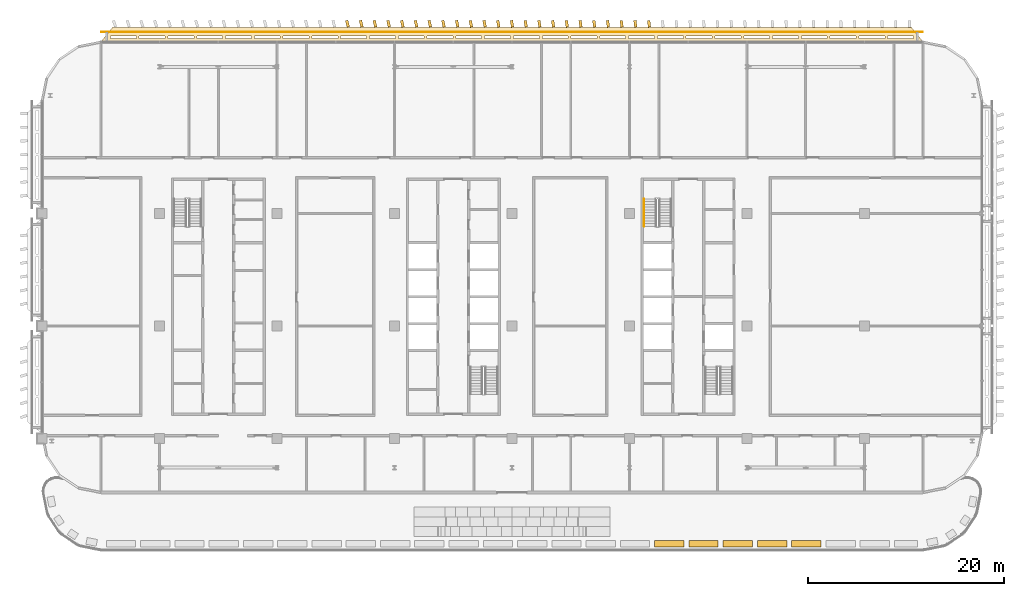
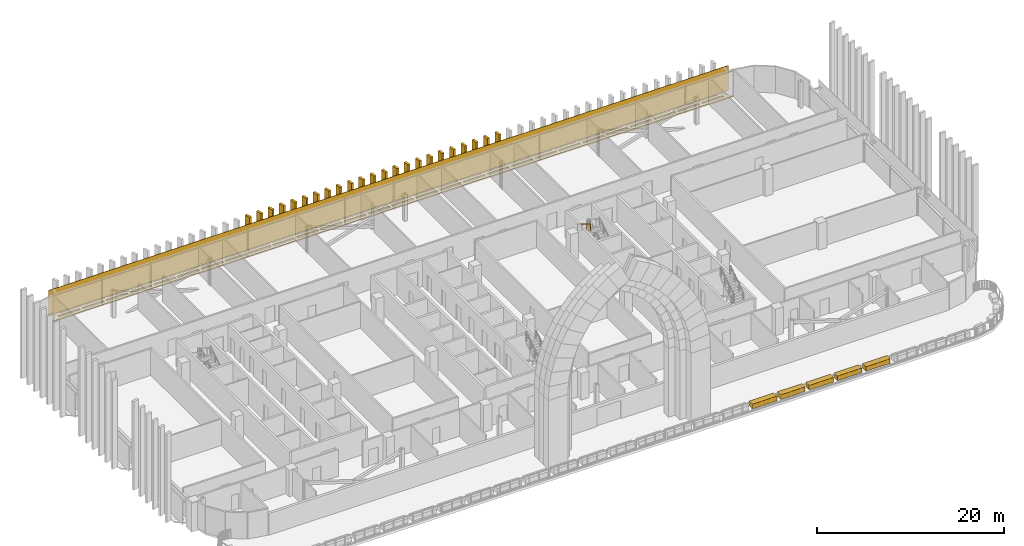
# One storey, part 27 of 30: 30 coverings, 1 railing.
"""IFC4 building model written with IfcOpenShell, lengths in metres."""

from ifc_helpers import new_model, si_unit, direction, frame, origin, origin_2d, place, context, subcontext, project, spatial, polyline, rectangle, circle, outline, extrude, material, layer, layer_set, type_object, element, save


model = new_model("IFC4")

# Units and contexts
model_context = context("Model", 3, precision=1e-05, world=origin(), true_north=direction((0.0, 1.0)))
body_context = subcontext(model_context, "Body", "Model", "MODEL_VIEW")
ifc_project = project(units=[si_unit("LENGTHUNIT", "METRE"), si_unit("AREAUNIT", "SQUARE_METRE"), si_unit("VOLUMEUNIT", "CUBIC_METRE"), si_unit("PLANEANGLEUNIT", "RADIAN"), si_unit("MASSUNIT", "GRAM", prefix="KILO")], contexts=[model_context])

# Site, building, storey
site_placement = place(None, origin())
site = spatial("IfcSite", under=ifc_project, at=site_placement, CompositionType="ELEMENT")
building_placement = place(site_placement, origin())
building = spatial("IfcBuilding", under=site, at=building_placement, Name="Mahtab Terrace Research Tower", CompositionType="ELEMENT")
storey_placement = place(building_placement, frame((0.0, 0.0, 228.60009765625)))
storey = spatial("IfcBuildingStorey", under=building, at=storey_placement, Name="L55", CompositionType="ELEMENT", Elevation=228.60009765625)

# Coverings
ifc_material_1 = material(Name="Black anodised aluminium", Category="aluminium")
ifc_layer_1 = layer(ifc_material_1, 0.14990234375)
ifc_layer_set_1 = layer_set([ifc_layer_1], Name="Horizontal sunshade band")
covering_type_1 = type_object("IfcCoveringType", Name="Horizontal sunshade band", PredefinedType="CLADDING", material=ifc_layer_set_1)
covering_1_placement = place(storey_placement, frame((0.0, 0.0, -0.150146484375)))
element("IfcCovering", 1, at=covering_1_placement, inside=storey, type_object=covering_type_1, Name="Sunshade band L55 3", PredefinedType="CLADDING", context=body_context, shape_type="SweptSolid", body=[
    extrude(outline(polyline([(48.0, 29.0), (-36.0, 29.0), (-34.800048828125, 30.5), (46.800048828125, 30.5), (48.0, 29.0)]), holes=[polyline([(47.02001953125, 29.35009765625), (44.37890625, 29.35009765625), (44.37890625, 29.60009765625), (47.02001953125, 29.60009765625), (47.02001953125, 29.35009765625)]), polyline([(44.0791015625, 29.35009765625), (41.43896484375, 29.35009765625), (41.43896484375, 29.60009765625), (44.0791015625, 29.60009765625), (44.0791015625, 29.35009765625)]), polyline([(41.138916015625, 29.35009765625), (38.498046875, 29.35009765625), (38.498046875, 29.60009765625), (41.138916015625, 29.60009765625), (41.138916015625, 29.35009765625)]), polyline([(38.197998046875, 29.35009765625), (35.556884765625, 29.35009765625), (35.556884765625, 29.60009765625), (38.197998046875, 29.60009765625), (38.197998046875, 29.35009765625)]), polyline([(35.257080078125, 29.35009765625), (32.615966796875, 29.35009765625), (32.615966796875, 29.60009765625), (35.257080078125, 29.60009765625), (35.257080078125, 29.35009765625)]), polyline([(32.31591796875, 29.35009765625), (29.676025390625, 29.35009765625), (29.676025390625, 29.60009765625), (32.31591796875, 29.60009765625), (32.31591796875, 29.35009765625)]), polyline([(29.3759765625, 29.35009765625), (26.735107421875, 29.35009765625), (26.735107421875, 29.60009765625), (29.3759765625, 29.60009765625), (29.3759765625, 29.35009765625)]), polyline([(26.43505859375, 29.35009765625), (23.7939453125, 29.35009765625), (23.7939453125, 29.60009765625), (26.43505859375, 29.60009765625), (26.43505859375, 29.35009765625)]), polyline([(23.493896484375, 29.35009765625), (20.85400390625, 29.35009765625), (20.85400390625, 29.60009765625), (23.493896484375, 29.60009765625), (23.493896484375, 29.35009765625)]), polyline([(20.553955078125, 29.35009765625), (17.9130859375, 29.35009765625), (17.9130859375, 29.60009765625), (20.553955078125, 29.60009765625), (20.553955078125, 29.35009765625)]), polyline([(17.613037109375, 29.35009765625), (14.971923828125, 29.35009765625), (14.971923828125, 29.60009765625), (17.613037109375, 29.60009765625), (17.613037109375, 29.35009765625)]), polyline([(14.672119140625, 29.35009765625), (12.031005859375, 29.35009765625), (12.031005859375, 29.60009765625), (14.672119140625, 29.60009765625), (14.672119140625, 29.35009765625)]), polyline([(11.73095703125, 29.35009765625), (9.091064453125, 29.35009765625), (9.091064453125, 29.60009765625), (11.73095703125, 29.60009765625), (11.73095703125, 29.35009765625)]), polyline([(8.791015625, 29.35009765625), (6.14990234375, 29.35009765625), (6.14990234375, 29.60009765625), (8.791015625, 29.60009765625), (8.791015625, 29.35009765625)]), polyline([(5.85009765625, 29.35009765625), (3.208984375, 29.35009765625), (3.208984375, 29.60009765625), (5.85009765625, 29.60009765625), (5.85009765625, 29.35009765625)]), polyline([(2.908935546875, 29.35009765625), (0.26904296875, 29.35009765625), (0.26904296875, 29.60009765625), (2.908935546875, 29.60009765625), (2.908935546875, 29.35009765625)]), polyline([(-0.031005859375, 29.35009765625), (-2.672119140625, 29.35009765625), (-2.672119140625, 29.60009765625), (-0.031005859375, 29.60009765625), (-0.031005859375, 29.35009765625)]), polyline([(-2.971923828125, 29.35009765625), (-5.613037109375, 29.35009765625), (-5.613037109375, 29.60009765625), (-2.971923828125, 29.60009765625), (-2.971923828125, 29.35009765625)]), polyline([(-5.9130859375, 29.35009765625), (-8.553955078125, 29.35009765625), (-8.553955078125, 29.60009765625), (-5.9130859375, 29.60009765625), (-5.9130859375, 29.35009765625)]), polyline([(-8.85400390625, 29.35009765625), (-11.493896484375, 29.35009765625), (-11.493896484375, 29.60009765625), (-8.85400390625, 29.60009765625), (-8.85400390625, 29.35009765625)]), polyline([(-11.7939453125, 29.35009765625), (-14.43505859375, 29.35009765625), (-14.43505859375, 29.60009765625), (-11.7939453125, 29.60009765625), (-11.7939453125, 29.35009765625)]), polyline([(-14.735107421875, 29.35009765625), (-17.3759765625, 29.35009765625), (-17.3759765625, 29.60009765625), (-14.735107421875, 29.60009765625), (-14.735107421875, 29.35009765625)]), polyline([(-17.676025390625, 29.35009765625), (-20.31591796875, 29.35009765625), (-20.31591796875, 29.60009765625), (-17.676025390625, 29.60009765625), (-17.676025390625, 29.35009765625)]), polyline([(-20.615966796875, 29.35009765625), (-23.257080078125, 29.35009765625), (-23.257080078125, 29.60009765625), (-20.615966796875, 29.60009765625), (-20.615966796875, 29.35009765625)]), polyline([(-23.556884765625, 29.35009765625), (-26.197998046875, 29.35009765625), (-26.197998046875, 29.60009765625), (-23.556884765625, 29.60009765625), (-23.556884765625, 29.35009765625)]), polyline([(-26.498046875, 29.35009765625), (-29.138916015625, 29.35009765625), (-29.138916015625, 29.60009765625), (-26.498046875, 29.60009765625), (-26.498046875, 29.35009765625)]), polyline([(-29.43896484375, 29.35009765625), (-32.0791015625, 29.35009765625), (-32.0791015625, 29.60009765625), (-29.43896484375, 29.60009765625), (-29.43896484375, 29.35009765625)]), polyline([(-32.37890625, 29.35009765625), (-35.02001953125, 29.35009765625), (-35.02001953125, 29.60009765625), (-32.37890625, 29.60009765625), (-32.37890625, 29.35009765625)]), polyline([(46.5400390625, 29.949951171875), (43.93408203125, 29.949951171875), (43.93408203125, 30.199951171875), (46.5400390625, 30.199951171875), (46.5400390625, 29.949951171875)]), polyline([(43.634033203125, 29.949951171875), (41.027099609375, 29.949951171875), (41.027099609375, 30.199951171875), (43.634033203125, 30.199951171875), (43.634033203125, 29.949951171875)]), polyline([(40.72705078125, 29.949951171875), (38.12109375, 29.949951171875), (38.12109375, 30.199951171875), (40.72705078125, 30.199951171875), (40.72705078125, 29.949951171875)]), polyline([(37.821044921875, 29.949951171875), (35.214111328125, 29.949951171875), (35.214111328125, 30.199951171875), (37.821044921875, 30.199951171875), (37.821044921875, 29.949951171875)]), polyline([(34.9140625, 29.949951171875), (32.30810546875, 29.949951171875), (32.30810546875, 30.199951171875), (34.9140625, 30.199951171875), (34.9140625, 29.949951171875)]), polyline([(32.008056640625, 29.949951171875), (29.40087890625, 29.949951171875), (29.40087890625, 30.199951171875), (32.008056640625, 30.199951171875), (32.008056640625, 29.949951171875)]), polyline([(29.10107421875, 29.949951171875), (26.4951171875, 29.949951171875), (26.4951171875, 30.199951171875), (29.10107421875, 30.199951171875), (29.10107421875, 29.949951171875)]), polyline([(26.195068359375, 29.949951171875), (23.589111328125, 29.949951171875), (23.589111328125, 30.199951171875), (26.195068359375, 30.199951171875), (26.195068359375, 29.949951171875)]), polyline([(23.2890625, 29.949951171875), (20.681884765625, 29.949951171875), (20.681884765625, 30.199951171875), (23.2890625, 30.199951171875), (23.2890625, 29.949951171875)]), polyline([(20.382080078125, 29.949951171875), (17.77587890625, 29.949951171875), (17.77587890625, 30.199951171875), (20.382080078125, 30.199951171875), (20.382080078125, 29.949951171875)]), polyline([(17.47607421875, 29.949951171875), (14.868896484375, 29.949951171875), (14.868896484375, 30.199951171875), (17.47607421875, 30.199951171875), (17.47607421875, 29.949951171875)]), polyline([(14.569091796875, 29.949951171875), (11.962890625, 29.949951171875), (11.962890625, 30.199951171875), (14.569091796875, 30.199951171875), (14.569091796875, 29.949951171875)]), polyline([(11.6630859375, 29.949951171875), (9.055908203125, 29.949951171875), (9.055908203125, 30.199951171875), (11.6630859375, 30.199951171875), (11.6630859375, 29.949951171875)]), polyline([(8.756103515625, 29.949951171875), (6.14990234375, 29.949951171875), (6.14990234375, 30.199951171875), (8.756103515625, 30.199951171875), (8.756103515625, 29.949951171875)]), polyline([(5.85009765625, 29.949951171875), (3.243896484375, 29.949951171875), (3.243896484375, 30.199951171875), (5.85009765625, 30.199951171875), (5.85009765625, 29.949951171875)]), polyline([(2.944091796875, 29.949951171875), (0.3369140625, 29.949951171875), (0.3369140625, 30.199951171875), (2.944091796875, 30.199951171875), (2.944091796875, 29.949951171875)]), polyline([(0.037109375, 29.949951171875), (-2.569091796875, 29.949951171875), (-2.569091796875, 30.199951171875), (0.037109375, 30.199951171875), (0.037109375, 29.949951171875)]), polyline([(-2.868896484375, 29.949951171875), (-5.47607421875, 29.949951171875), (-5.47607421875, 30.199951171875), (-2.868896484375, 30.199951171875), (-2.868896484375, 29.949951171875)]), polyline([(-5.77587890625, 29.949951171875), (-8.382080078125, 29.949951171875), (-8.382080078125, 30.199951171875), (-5.77587890625, 30.199951171875), (-5.77587890625, 29.949951171875)]), polyline([(-8.681884765625, 29.949951171875), (-11.2890625, 29.949951171875), (-11.2890625, 30.199951171875), (-8.681884765625, 30.199951171875), (-8.681884765625, 29.949951171875)]), polyline([(-11.589111328125, 29.949951171875), (-14.195068359375, 29.949951171875), (-14.195068359375, 30.199951171875), (-11.589111328125, 30.199951171875), (-11.589111328125, 29.949951171875)]), polyline([(-14.4951171875, 29.949951171875), (-17.10107421875, 29.949951171875), (-17.10107421875, 30.199951171875), (-14.4951171875, 30.199951171875), (-14.4951171875, 29.949951171875)]), polyline([(-17.40087890625, 29.949951171875), (-20.008056640625, 29.949951171875), (-20.008056640625, 30.199951171875), (-17.40087890625, 30.199951171875), (-17.40087890625, 29.949951171875)]), polyline([(-20.30810546875, 29.949951171875), (-22.9140625, 29.949951171875), (-22.9140625, 30.199951171875), (-20.30810546875, 30.199951171875), (-20.30810546875, 29.949951171875)]), polyline([(-23.214111328125, 29.949951171875), (-25.821044921875, 29.949951171875), (-25.821044921875, 30.199951171875), (-23.214111328125, 30.199951171875), (-23.214111328125, 29.949951171875)]), polyline([(-26.12109375, 29.949951171875), (-28.72705078125, 29.949951171875), (-28.72705078125, 30.199951171875), (-26.12109375, 30.199951171875), (-26.12109375, 29.949951171875)]), polyline([(-29.027099609375, 29.949951171875), (-31.634033203125, 29.949951171875), (-31.634033203125, 30.199951171875), (-29.027099609375, 30.199951171875), (-29.027099609375, 29.949951171875)]), polyline([(-31.93408203125, 29.949951171875), (-34.5400390625, 29.949951171875), (-34.5400390625, 30.199951171875), (-31.93408203125, 30.199951171875), (-31.93408203125, 29.949951171875)])]), origin(), (0.0, 0.0, 1.0), 0.150146484375),
])
ifc_material_2 = material(Name="Planting soil and shrubs")
ifc_layer_2 = layer(ifc_material_2, 0.1201171875)
ifc_layer_set_2 = layer_set([ifc_layer_2], Name="Planter")
covering_type_2 = type_object("IfcCoveringType", Name="Planter", PredefinedType="USERDEFINED", material=ifc_layer_set_2)
for number, where, z_axis, x_axis, name in (
    (2, (22.06591796875, -22.25, 0.02978515625), (0.0, 0.0, 1.0), (1.0, 0.0, 0.0), "PLANTER terrace 6"),
    (3, (25.56591796875, -22.25, 0.02978515625), (0.0, 0.0, 1.0), (1.0, 0.0, 0.0), "PLANTER terrace 6"),
    (4, (29.06591796875, -22.25, 0.02978515625), (0.0, 0.0, 1.0), (1.0, 0.0, 0.0), "PLANTER terrace 6"),
    (5, (32.56591796875, -22.25, 0.02978515625), (0.0, 0.0, 1.0), (1.0, 0.0, 0.0), "PLANTER terrace 6"),
    (6, (36.06591796875, -22.25, 0.02978515625), (0.0, 0.0, 1.0), (1.0, 0.0, 0.0), "PLANTER terrace 6"),
):
    element("IfcCovering", number, at=place(storey_placement, frame(where, z_axis=z_axis, x_axis=x_axis)), inside=storey, type_object=covering_type_2, Name=name, ObjectType="PLANTER", PredefinedType="USERDEFINED", context=body_context, shape_type="SweptSolid", body=[
        extrude(rectangle(XDim=3.0, YDim=0.699951171875, at=origin_2d()), origin(), (0.0, 0.0, 1.0), 0.60009765625),
    ])
ifc_material_3 = material(Name="Bronze anodised aluminium", Category="aluminium")
ifc_layer_3 = layer(ifc_material_3, 0.050048828125)
ifc_layer_set_3 = layer_set([ifc_layer_3], Name="Sky lounge girih screen panel")
covering_type_3 = type_object("IfcCoveringType", Name="Sky lounge girih screen panel", PredefinedType="CLADDING", material=ifc_layer_set_3)
covering_2_placement = place(storey_placement, frame((6.0, 30.02490234375, 0.10009765625), z_axis=(0.0, 0.0, 1.0), x_axis=(-1.0, 0.0, 0.0)))
element("IfcCovering", 7, at=covering_2_placement, inside=storey, type_object=covering_type_3, Name="Girih screen L55 N4", PredefinedType="CLADDING", context=body_context, shape_type="SweptSolid", body=[
    extrude(rectangle(XDim=83.89990234375, YDim=0.050048828125, at=origin_2d()), origin(), (0.0, 0.0, 1.0), 3.260009765625),
])

# Railing
ifc_material_4 = material(Name="Stainless steel AISI 304", Category="steel")
railing_type = type_object("IfcRailingType", Name="Stair handrail 900", PredefinedType="HANDRAIL", material=ifc_material_4)
railing_placement = place(storey_placement, frame((19.5, 12.97509765625, 2.072509765625)))
element("IfcRailing", 8, at=railing_placement, inside=storey, type_object=railing_type, Name="L55 ST3 stair handrail 2", PredefinedType="HANDRAIL", context=body_context, shape_type="SweptSolid", body=[
    extrude(circle(Radius=0.02392578125, at=origin_2d()), frame((0.0, 0.0, 0.8759765625), z_axis=(0.0, -0.851089632645, 0.525020415988), x_axis=(1.0, 0.0, 0.0)), (0.0, 0.0, 1.0), 3.2900390625),
    extrude(circle(Radius=0.02099609375, at=origin_2d()), origin(), (0.0, 0.0, 1.0), 0.851806640625),
    extrude(circle(Radius=0.02099609375, at=origin_2d()), frame((0.0, -0.933349609375, 0.57568359375)), (0.0, 0.0, 1.0), 0.851806640625),
    extrude(circle(Radius=0.02099609375, at=origin_2d()), frame((0.0, -1.86669921875, 1.151611328125)), (0.0, 0.0, 1.0), 0.851806640625),
    extrude(circle(Radius=0.02099609375, at=origin_2d()), frame((0.0, -2.800048828125, 1.727294921875)), (0.0, 0.0, 1.0), 0.851806640625),
])

# Coverings
ifc_layer_4 = layer(ifc_material_3, 0.1201171875)
ifc_layer_set_4 = layer_set([ifc_layer_4], Name="Vertical fin 700")
covering_type_4 = type_object("IfcCoveringType", Name="Vertical fin 700", PredefinedType="CLADDING", material=ifc_layer_set_4)
for number, where, z_axis, x_axis, name in (
    (9, (20.0, 30.86376953125, -0.14990234375), (0.0, 0.0, 1.0), (-0.993238357741, -0.116092914131, 0.0), "Fin L55 N20"),
    (10, (18.60009765625, 30.864501953125, -0.14990234375), (0.0, 0.0, 1.0), (-0.992546151641, -0.121869343405, 0.0), "Fin L55 N21"),
    (11, (17.199951171875, 30.864990234375, -0.14990234375), (0.0, 0.0, 1.0), (-0.991820351542, -0.127641647855, 0.0), "Fin L55 N22"),
    (12, (15.800048828125, 30.865478515625, -0.14990234375), (0.0, 0.0, 1.0), (-0.991060982007, -0.133409632126, 0.0), "Fin L55 N23"),
    (13, (14.39990234375, 30.865966796875, -0.14990234375), (0.0, 0.0, 1.0), (-0.990268068742, -0.13917310096, 0.0), "Fin L55 N24"),
    (14, (13.0, 30.86669921875, -0.14990234375), (0.0, 0.0, 1.0), (-0.989441638582, -0.144931859301, 0.0), "Fin L55 N25"),
    (15, (11.60009765625, 30.8671875, -0.14990234375), (0.0, 0.0, 1.0), (-0.988581719496, -0.150685712255, 0.0), "Fin L55 N26"),
    (16, (10.199951171875, 30.86767578125, -0.14990234375), (0.0, 0.0, 1.0), (-0.987688340595, -0.15643446504, 0.0), "Fin L55 N27"),
    (17, (8.800048828125, 30.8681640625, -0.14990234375), (0.0, 0.0, 1.0), (-0.986761532114, -0.1621779231, 0.0), "Fin L55 N28"),
    (18, (7.39990234375, 30.86865234375, -0.14990234375), (0.0, 0.0, 1.0), (-0.985801325417, -0.167915892057, 0.0), "Fin L55 N29"),
    (19, (6.0, 30.868896484375, -0.14990234375), (0.0, 0.0, 1.0), (-0.984807753012, -0.173648177667, 0.0), "Fin L55 N30"),
    (20, (4.60009765625, 30.869384765625, -0.14990234375), (0.0, 0.0, 1.0), (-0.983780848524, -0.179374585932, 0.0), "Fin L55 N31"),
    (21, (3.199951171875, 30.869873046875, -0.14990234375), (0.0, 0.0, 1.0), (-0.982720646705, -0.18509492305, 0.0), "Fin L55 N32"),
    (22, (1.800048828125, 30.870361328125, -0.14990234375), (0.0, 0.0, 1.0), (-0.981627183448, -0.190808995377, 0.0), "Fin L55 N33"),
    (23, (0.39990234375, 30.87060546875, -0.14990234375), (0.0, 0.0, 1.0), (-0.980500495757, -0.196516609527, 0.0), "Fin L55 N34"),
    (24, (-1.0, 30.87109375, -0.14990234375), (0.0, 0.0, 1.0), (-0.979340621764, -0.202217572338, 0.0), "Fin L55 N35"),
    (25, (-2.39990234375, 30.871337890625, -0.14990234375), (0.0, 0.0, 1.0), (-0.978147600734, -0.207911690818, 0.0), "Fin L55 N36"),
    (26, (-3.800048828125, 30.871826171875, -0.14990234375), (0.0, 0.0, 1.0), (-0.976921473041, -0.21359877226, 0.0), "Fin L55 N37"),
    (27, (-5.199951171875, 30.8720703125, -0.14990234375), (0.0, 0.0, 1.0), (-0.975662280183, -0.219278624194, 0.0), "Fin L55 N38"),
    (28, (-6.60009765625, 30.87255859375, -0.14990234375), (0.0, 0.0, 1.0), (-0.974370064785, -0.224951054344, 0.0), "Fin L55 N39"),
    (29, (-8.0, 30.872802734375, -0.14990234375), (0.0, 0.0, 1.0), (-0.973044870581, -0.230615870737, 0.0), "Fin L55 N40"),
    (30, (-9.39990234375, 30.873046875, -0.14990234375), (0.0, 0.0, 1.0), (-0.97168674242, -0.236272881656, 0.0), "Fin L55 N41"),
    (31, (-10.800048828125, 30.87353515625, -0.14990234375), (0.0, 0.0, 1.0), (-0.970295726276, -0.2419218956, 0.0), "Fin L55 N42"),
):
    element("IfcCovering", number, at=place(storey_placement, frame(where, z_axis=z_axis, x_axis=x_axis)), inside=storey, type_object=covering_type_4, Name=name, PredefinedType="CLADDING", context=body_context, shape_type="SweptSolid", body=[
        extrude(rectangle(XDim=0.280029296875, YDim=0.699951171875, at=origin_2d()), origin(), (0.0, 0.0, 1.0), 3.949951171875),
    ])

save(model, "model.ifc")
